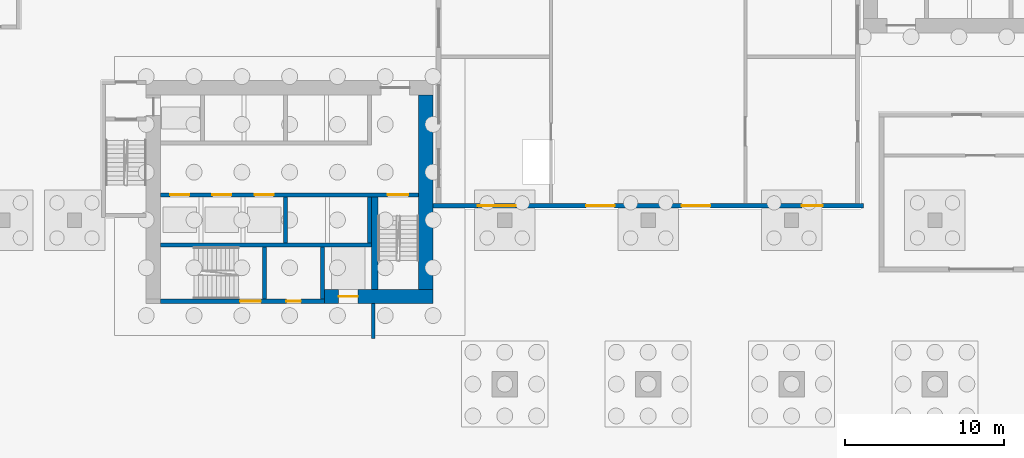
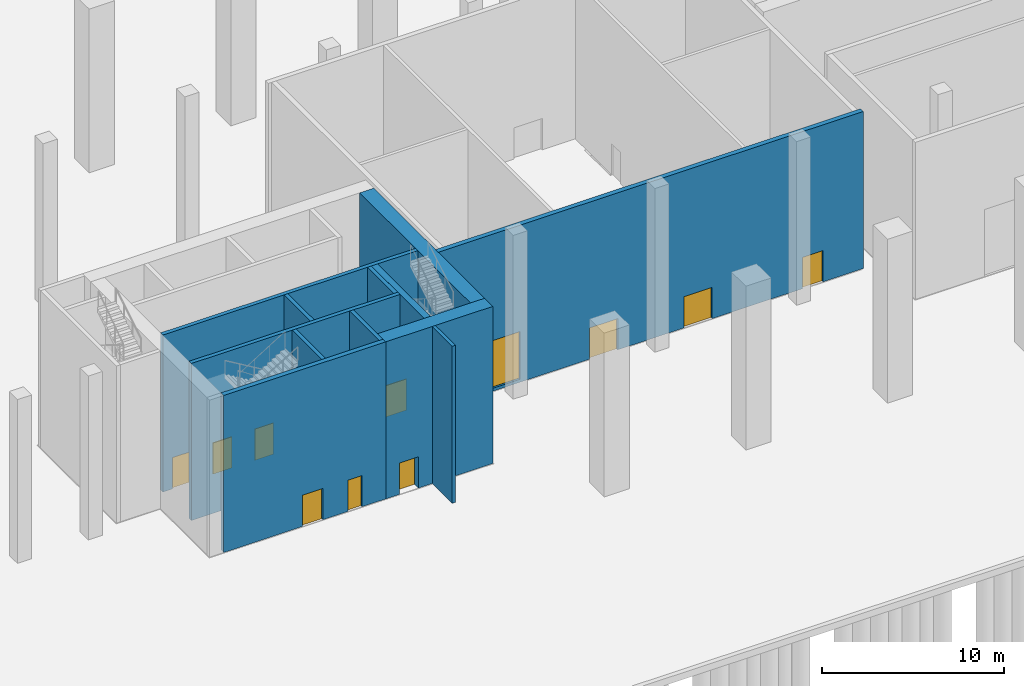
# One storey, part 5 of 26: 12 walls, 10 doors, 1 window, 11 openings.
"""IFC4 building model written with IfcOpenShell, lengths in metres."""

from ifc_helpers import new_model, si_unit, direction, frame, frame_2d, origin, place, context, subcontext, project, spatial, rectangle, extrude, material, layer, layer_set, type_object, element, fill, save


model = new_model("IFC4")

# Units and contexts
model_context = context("Model", 3, precision=1e-05, world=origin(), true_north=direction((0.0, 1.0)))
body_context = subcontext(model_context, "Body", "Model", "MODEL_VIEW")
ifc_project = project(units=[si_unit("LENGTHUNIT", "METRE"), si_unit("AREAUNIT", "SQUARE_METRE"), si_unit("VOLUMEUNIT", "CUBIC_METRE"), si_unit("PLANEANGLEUNIT", "RADIAN"), si_unit("MASSUNIT", "GRAM", prefix="KILO")], contexts=[model_context])

# Site, building, storey
site_placement = place(None, origin())
site = spatial("IfcSite", under=ifc_project, at=site_placement, CompositionType="ELEMENT")
building_placement = place(site_placement, origin())
building = spatial("IfcBuilding", under=site, at=building_placement, Name="Kajstack Hotel Tower", CompositionType="ELEMENT")
storey_placement = place(building_placement, origin())
storey = spatial("IfcBuildingStorey", under=building, at=storey_placement, Name="L00", CompositionType="ELEMENT", Elevation=0.0)

# Wall, opening, door
ifc_material_1 = material(Name="Concrete C60/75", Category="concrete")
ifc_layer_1 = layer(ifc_material_1, 0.89990234375)
ifc_layer_set_1 = layer_set([ifc_layer_1], Name="Core wall 900")
wall_type_1 = type_object("IfcWallType", Name="Core wall 900", PredefinedType="SHEAR", material=ifc_layer_set_1)
wall_1_placement = place(storey_placement, frame((-20.300048828125, -15.050048828125, 0.0), z_axis=(0.0, 0.0, 1.0), x_axis=(1.0, 0.0, 0.0)))
wall_1 = element("IfcWall", 1, at=wall_1_placement, inside=storey, type_object=wall_type_1, Name="Core wall W RS", PredefinedType="SHEAR", context=body_context, shape_type="SweptSolid", body=[
    extrude(rectangle(XDim=6.800048828125, YDim=0.89990234375, at=frame_2d((3.39990234375, 0.0))), origin(), (0.0, 0.0, 1.0), 10.550048828125),
])
opening_1_placement = place(wall_1_placement, frame((0.875, 0.0, 0.0)))
opening_1 = element("IfcOpeningElement", 2, at=opening_1_placement, cuts=wall_1, Name="Opening LD-SV1", PredefinedType="OPENING", context=body_context, shape_type="SweptSolid", body=[
    extrude(rectangle(XDim=1.199951171875, YDim=2.10009765625, at=frame_2d((0.60009765625, 1.050048828125))), frame((0.0, 0.4599609375, 0.0), z_axis=(0.0, -1.0, 0.0), x_axis=(1.0, 0.0, 0.0)), (0.0, 0.0, 1.0), 0.919921875),
])
ifc_material_2 = material(Name="Stainless steel", Category="steel")
door_type_1 = type_object("IfcDoorType", Name="Lift landing door 1200", OperationType="SLIDING_TO_LEFT", PredefinedType="DOOR", material=ifc_material_2)
door_1_placement = place(opening_1_placement, origin())
door_1 = element("IfcDoor", 3, at=door_1_placement, inside=storey, type_object=door_type_1, Name="Landing door SV1", OperationType="SLIDING_TO_LEFT", OverallHeight=2.10009765625, OverallWidth=1.199951171875, PredefinedType="DOOR", context=body_context, shape_type="SweptSolid", body=[
    extrude(rectangle(XDim=1.199951171875, YDim=2.10009765625, at=frame_2d((0.60009765625, 1.050048828125))), frame((0.0, 0.02490234375, 0.0), z_axis=(0.0, -1.0, 0.0), x_axis=(1.0, 0.0, 0.0)), (0.0, 0.0, 1.0), 0.050048828125),
])
fill(opening_1, door_1)

# Wall
wall_2_placement = place(storey_placement, frame((-13.949951171875, -14.60009765625, 0.0), z_axis=(0.0, 0.0, 1.0), x_axis=(0.0, 1.0, 0.0)))
element("IfcWall", 4, at=wall_2_placement, inside=storey, type_object=wall_type_1, Name="Core wall W RE", PredefinedType="SHEAR", context=body_context, shape_type="SweptSolid", body=[
    extrude(rectangle(XDim=12.2001953125, YDim=0.89990234375, at=frame_2d((6.10009765625, 0.0))), origin(), (0.0, 0.0, 1.0), 10.550048828125),
])

# Wall, openings, doors, window
ifc_material_3 = material(Name="Terracotta-faced masonry", Category="masonry")
ifc_layer_2 = layer(ifc_material_3, 0.300048828125)
ifc_layer_set_2 = layer_set([ifc_layer_2], Name="Ground pavilion wall 300")
wall_type_2 = type_object("IfcWallType", Name="Ground pavilion wall 300", PredefinedType="SOLIDWALL", material=ifc_layer_set_2)
wall_3_placement = place(storey_placement, frame((-13.510009765625, -9.35009765625, 0.0), z_axis=(0.0, 0.0, 1.0), x_axis=(1.0, 0.0, 0.0)))
wall_3 = element("IfcWall", 5, at=wall_3_placement, inside=storey, type_object=wall_type_2, Name="External wall APS", PredefinedType="SOLIDWALL", context=body_context, shape_type="SweptSolid", body=[
    extrude(rectangle(XDim=27.02001953125, YDim=0.300048828125, at=frame_2d((13.510009765625, 0.0))), origin(), (0.0, 0.0, 1.0), 10.550048828125),
])
opening_2_placement = place(wall_3_placement, frame((9.610107421875, 0.0, 0.0)))
opening_2 = element("IfcOpeningElement", 6, at=opening_2_placement, cuts=wall_3, Name="Opening 00P04", PredefinedType="OPENING", context=body_context, shape_type="SweptSolid", body=[
    extrude(rectangle(XDim=1.800048828125, YDim=2.10009765625, at=frame_2d((0.89990234375, 1.050048828125))), frame((0.0, 0.159912109375, 0.0), z_axis=(0.0, -1.0, 0.0), x_axis=(1.0, 0.0, 0.0)), (0.0, 0.0, 1.0), 0.320068359375),
])
opening_3_placement = place(wall_3_placement, frame((15.610107421875, 0.0, 0.0)))
opening_3 = element("IfcOpeningElement", 7, at=opening_3_placement, cuts=wall_3, Name="Opening 00P05", PredefinedType="OPENING", context=body_context, shape_type="SweptSolid", body=[
    extrude(rectangle(XDim=1.800048828125, YDim=2.10009765625, at=frame_2d((0.89990234375, 1.050048828125))), frame((0.0, 0.159912109375, 0.0), z_axis=(0.0, -1.0, 0.0), x_axis=(1.0, 0.0, 0.0)), (0.0, 0.0, 1.0), 0.320068359375),
])
opening_4_placement = place(wall_3_placement, frame((23.159912109375, 0.0, 0.0)))
opening_4 = element("IfcOpeningElement", 8, at=opening_4_placement, cuts=wall_3, Name="Opening 00P06", PredefinedType="OPENING", context=body_context, shape_type="SweptSolid", body=[
    extrude(rectangle(XDim=1.300048828125, YDim=2.10009765625, at=frame_2d((0.64990234375, 1.050048828125))), frame((0.0, 0.159912109375, 0.0), z_axis=(0.0, -1.0, 0.0), x_axis=(1.0, 0.0, 0.0)), (0.0, 0.0, 1.0), 0.320068359375),
])
opening_5_placement = place(wall_3_placement, frame((2.81005859375, 0.0, 0.199951171875)))
opening_5 = element("IfcOpeningElement", 9, at=opening_5_placement, cuts=wall_3, Name="Opening W00APW1", PredefinedType="OPENING", context=body_context, shape_type="SweptSolid", body=[
    extrude(rectangle(XDim=2.39990234375, YDim=3.199951171875, at=frame_2d((1.199951171875, 1.60009765625))), frame((0.0, 0.159912109375, 0.0), z_axis=(0.0, -1.0, 0.0), x_axis=(1.0, 0.0, 0.0)), (0.0, 0.0, 1.0), 0.320068359375),
])
ifc_material_4 = material(Name="Glazed timber frame, fire-rated glass", Category="wood")
door_type_2 = type_object("IfcDoorType", Name="Public double door 1800", OperationType="DOUBLE_DOOR_DOUBLE_SWING", PredefinedType="DOOR", material=ifc_material_4)
door_2_placement = place(opening_2_placement, origin())
door_2 = element("IfcDoor", 10, at=door_2_placement, inside=storey, type_object=door_type_2, Name="Door 00P04", OperationType="DOUBLE_DOOR_DOUBLE_SWING", OverallHeight=2.10009765625, OverallWidth=1.800048828125, PredefinedType="DOOR", context=body_context, shape_type="SweptSolid", body=[
    extrude(rectangle(XDim=1.800048828125, YDim=2.10009765625, at=frame_2d((0.89990234375, 1.050048828125))), frame((0.0, 0.02490234375, 0.0), z_axis=(0.0, -1.0, 0.0), x_axis=(1.0, 0.0, 0.0)), (0.0, 0.0, 1.0), 0.050048828125),
])
fill(opening_2, door_2)
door_3_placement = place(opening_3_placement, origin())
door_3 = element("IfcDoor", 11, at=door_3_placement, inside=storey, type_object=door_type_2, Name="Door 00P05", OperationType="DOUBLE_DOOR_DOUBLE_SWING", OverallHeight=2.10009765625, OverallWidth=1.800048828125, PredefinedType="DOOR", context=body_context, shape_type="SweptSolid", body=[
    extrude(rectangle(XDim=1.800048828125, YDim=2.10009765625, at=frame_2d((0.89990234375, 1.050048828125))), frame((0.0, 0.02490234375, 0.0), z_axis=(0.0, -1.0, 0.0), x_axis=(1.0, 0.0, 0.0)), (0.0, 0.0, 1.0), 0.050048828125),
])
fill(opening_3, door_3)
ifc_material_5 = material(Name="Steel leaf, fire-rated", Category="steel")
door_type_3 = type_object("IfcDoorType", Name="Public exit door 1300", OperationType="SINGLE_SWING_LEFT", PredefinedType="DOOR", material=ifc_material_5)
door_4_placement = place(opening_4_placement, origin())
door_4 = element("IfcDoor", 12, at=door_4_placement, inside=storey, type_object=door_type_3, Name="Door 00P06", OperationType="SINGLE_SWING_RIGHT", OverallHeight=2.10009765625, OverallWidth=1.300048828125, PredefinedType="DOOR", context=body_context, shape_type="SweptSolid", body=[
    extrude(rectangle(XDim=1.300048828125, YDim=2.10009765625, at=frame_2d((0.64990234375, 1.050048828125))), frame((0.0, 0.02490234375, 0.0), z_axis=(0.0, -1.0, 0.0), x_axis=(1.0, 0.0, 0.0)), (0.0, 0.0, 1.0), 0.050048828125),
])
fill(opening_4, door_4)
ifc_material_6 = material(Name="Glass, aluminium frame", Category="aluminium")
window_type = type_object("IfcWindowType", Name="Storefront window 2400", PartitioningType="SINGLE_PANEL", PredefinedType="WINDOW", material=ifc_material_6)
window_placement = place(opening_5_placement, origin())
window = element("IfcWindow", 13, at=window_placement, inside=storey, type_object=window_type, Name="Storefront window", OverallHeight=3.199951171875, OverallWidth=2.39990234375, PartitioningType="SINGLE_PANEL", PredefinedType="WINDOW", context=body_context, shape_type="SweptSolid", body=[
    extrude(rectangle(XDim=2.39990234375, YDim=3.199951171875, at=frame_2d((1.199951171875, 1.60009765625))), frame((0.0, 0.030029296875, 0.0), z_axis=(0.0, -1.0, 0.0), x_axis=(1.0, 0.0, 0.0)), (0.0, 0.0, 1.0), 0.06005859375),
])
fill(opening_5, window)

# Walls
ifc_material_7 = material(Name="Concrete C50/60", Category="concrete")
ifc_layer_3 = layer(ifc_material_7, 0.300048828125)
ifc_layer_set_3 = layer_set([ifc_layer_3], Name="Hoistway divider wall 300")
wall_type_3 = type_object("IfcWallType", Name="Hoistway divider wall 300", PredefinedType="SHEAR", material=ifc_layer_set_3)
wall_4_placement = place(storey_placement, frame((-22.77490234375, -11.699951171875, 0.0), z_axis=(0.0, 0.0, 1.0), x_axis=(0.0, 1.0, 0.0)))
element("IfcWall", 14, at=wall_4_placement, inside=storey, type_object=wall_type_3, Name="Core wall W BP2", PredefinedType="SHEAR", context=body_context, shape_type="SweptSolid", body=[
    extrude(rectangle(XDim=2.89990234375, YDim=0.25, at=frame_2d((1.449951171875, 0.0))), origin(), (0.0, 0.0, 1.0), 10.550048828125),
])
ifc_material_8 = material(Name="Gypsum board on steel studs, mineral wool", Category="steel")
ifc_layer_4 = layer(ifc_material_8, 0.199951171875)
ifc_layer_set_4 = layer_set([ifc_layer_4], Name="Service partition 200")
wall_type_4 = type_object("IfcWallType", Name="Service partition 200", PredefinedType="PARTITIONING", material=ifc_layer_set_4)
wall_5_placement = place(storey_placement, frame((-17.25, -17.699951171875, 0.0), z_axis=(0.0, 0.0, 1.0), x_axis=(0.0, 1.0, 0.0)))
element("IfcWall", 15, at=wall_5_placement, inside=storey, type_object=wall_type_4, Name="Partition W SCE", PredefinedType="PARTITIONING", context=body_context, shape_type="SweptSolid", body=[
    extrude(rectangle(XDim=2.199951171875, YDim=0.199951171875, at=frame_2d((1.10009765625, 0.0))), origin(), (0.0, 0.0, 1.0), 10.550048828125),
])

# Wall, openings, doors
ifc_layer_5 = layer(ifc_material_7, 0.25)
ifc_layer_set_5 = layer_set([ifc_layer_5], Name="Shaft wall 250")
wall_type_5 = type_object("IfcWallType", Name="Shaft wall 250", PredefinedType="SHEAR", material=ifc_layer_set_5)
wall_6_placement = place(storey_placement, frame((-30.60009765625, -15.35009765625, 0.0), z_axis=(0.0, 0.0, 1.0), x_axis=(1.0, 0.0, 0.0)))
wall_6 = element("IfcWall", 16, at=wall_6_placement, inside=storey, type_object=wall_type_5, Name="Core wall W RSS", PredefinedType="SHEAR", context=body_context, shape_type="SweptSolid", body=[
    extrude(rectangle(XDim=10.300048828125, YDim=0.300048828125, at=frame_2d((5.14990234375, 0.0))), origin(), (0.0, 0.0, 1.0), 10.550048828125),
])
opening_6_placement = place(wall_6_placement, frame((5.0, 0.0, 0.0)))
opening_6 = element("IfcOpeningElement", 17, at=opening_6_placement, cuts=wall_6, Name="Opening 00W10", PredefinedType="OPENING", context=body_context, shape_type="SweptSolid", body=[
    extrude(rectangle(XDim=1.300048828125, YDim=2.10009765625, at=frame_2d((0.64990234375, 1.050048828125))), frame((0.0, 0.159912109375, 0.0), z_axis=(0.0, -1.0, 0.0), x_axis=(1.0, 0.0, 0.0)), (0.0, 0.0, 1.0), 0.320068359375),
])
opening_7_placement = place(wall_6_placement, frame((7.89990234375, 0.0, 0.0)))
opening_7 = element("IfcOpeningElement", 18, at=opening_7_placement, cuts=wall_6, Name="Opening 00W11", PredefinedType="OPENING", context=body_context, shape_type="SweptSolid", body=[
    extrude(rectangle(XDim=0.89990234375, YDim=2.10009765625, at=frame_2d((0.449951171875, 1.050048828125))), frame((0.0, 0.159912109375, 0.0), z_axis=(0.0, -1.0, 0.0), x_axis=(1.0, 0.0, 0.0)), (0.0, 0.0, 1.0), 0.320068359375),
])
ifc_material_9 = material(Name="Timber leaf, fire-rated", Category="wood")
door_type_4 = type_object("IfcDoorType", Name="Service door 900", OperationType="SINGLE_SWING_LEFT", PredefinedType="DOOR", material=ifc_material_9)
door_5_placement = place(opening_7_placement, origin())
door_5 = element("IfcDoor", 19, at=door_5_placement, inside=storey, type_object=door_type_4, Name="Door 00W11", OperationType="SINGLE_SWING_LEFT", OverallHeight=2.10009765625, OverallWidth=0.89990234375, PredefinedType="DOOR", context=body_context, shape_type="SweptSolid", body=[
    extrude(rectangle(XDim=0.89990234375, YDim=2.10009765625, at=frame_2d((0.449951171875, 1.050048828125))), frame((0.0, 0.02490234375, 0.0), z_axis=(0.0, -1.0, 0.0), x_axis=(1.0, 0.0, 0.0)), (0.0, 0.0, 1.0), 0.050048828125),
])
fill(opening_7, door_5)
door_type_5 = type_object("IfcDoorType", Name="Stair door 1300", OperationType="SINGLE_SWING_LEFT", PredefinedType="DOOR", material=ifc_material_5)
door_6_placement = place(opening_6_placement, frame((1.300048828125, 0.0, 0.0), z_axis=(0.0, 0.0, 1.0), x_axis=(-1.0, 0.0, 0.0)))
door_6 = element("IfcDoor", 20, at=door_6_placement, inside=storey, type_object=door_type_5, Name="Door 00W10", OperationType="SINGLE_SWING_RIGHT", OverallHeight=2.10009765625, OverallWidth=1.300048828125, PredefinedType="DOOR", context=body_context, shape_type="SweptSolid", body=[
    extrude(rectangle(XDim=1.300048828125, YDim=2.10009765625, at=frame_2d((0.64990234375, 1.050048828125))), frame((0.0, 0.02490234375, 0.0), z_axis=(0.0, -1.0, 0.0), x_axis=(1.0, 0.0, 0.0)), (0.0, 0.0, 1.0), 0.050048828125),
])
fill(opening_6, door_6)

wall_7_placement = place(storey_placement, frame((-30.60009765625, -8.675048828125, 0.0), z_axis=(0.0, 0.0, 1.0), x_axis=(1.0, 0.0, 0.0)))
wall_7 = element("IfcWall", 21, at=wall_7_placement, inside=storey, type_object=wall_type_5, Name="Core wall W FB", PredefinedType="SHEAR", context=body_context, shape_type="SweptSolid", body=[
    extrude(rectangle(XDim=16.2001953125, YDim=0.25, at=frame_2d((8.10009765625, 0.0))), origin(), (0.0, 0.0, 1.0), 10.550048828125),
])
opening_8_placement = place(wall_7_placement, frame((0.60009765625, 0.0, 0.0)))
opening_8 = element("IfcOpeningElement", 22, at=opening_8_placement, cuts=wall_7, Name="Opening LD-LR1", PredefinedType="OPENING", context=body_context, shape_type="SweptSolid", body=[
    extrude(rectangle(XDim=1.199951171875, YDim=2.10009765625, at=frame_2d((0.60009765625, 1.050048828125))), frame((0.0, 0.135009765625, 0.0), z_axis=(0.0, -1.0, 0.0), x_axis=(1.0, 0.0, 0.0)), (0.0, 0.0, 1.0), 0.27001953125),
])
opening_9_placement = place(wall_7_placement, frame((3.25, 0.0, 0.0)))
opening_9 = element("IfcOpeningElement", 23, at=opening_9_placement, cuts=wall_7, Name="Opening LD-LR2", PredefinedType="OPENING", context=body_context, shape_type="SweptSolid", body=[
    extrude(rectangle(XDim=1.199951171875, YDim=2.10009765625, at=frame_2d((0.60009765625, 1.050048828125))), frame((0.0, 0.135009765625, 0.0), z_axis=(0.0, -1.0, 0.0), x_axis=(1.0, 0.0, 0.0)), (0.0, 0.0, 1.0), 0.27001953125),
])
opening_10_placement = place(wall_7_placement, frame((5.89990234375, 0.0, 0.0)))
opening_10 = element("IfcOpeningElement", 24, at=opening_10_placement, cuts=wall_7, Name="Opening LD-LR3", PredefinedType="OPENING", context=body_context, shape_type="SweptSolid", body=[
    extrude(rectangle(XDim=1.199951171875, YDim=2.10009765625, at=frame_2d((0.60009765625, 1.050048828125))), frame((0.0, 0.135009765625, 0.0), z_axis=(0.0, -1.0, 0.0), x_axis=(1.0, 0.0, 0.0)), (0.0, 0.0, 1.0), 0.27001953125),
])
opening_11_placement = place(wall_7_placement, frame((14.25, 0.0, 0.0)))
opening_11 = element("IfcOpeningElement", 25, at=opening_11_placement, cuts=wall_7, Name="Opening 00W09", PredefinedType="OPENING", context=body_context, shape_type="SweptSolid", body=[
    extrude(rectangle(XDim=1.300048828125, YDim=2.10009765625, at=frame_2d((0.64990234375, 1.050048828125))), frame((0.0, 0.135009765625, 0.0), z_axis=(0.0, -1.0, 0.0), x_axis=(1.0, 0.0, 0.0)), (0.0, 0.0, 1.0), 0.27001953125),
])
door_7_placement = place(opening_8_placement, origin())
door_7 = element("IfcDoor", 26, at=door_7_placement, inside=storey, type_object=door_type_1, Name="Landing door LR1", OperationType="SLIDING_TO_LEFT", OverallHeight=2.10009765625, OverallWidth=1.199951171875, PredefinedType="DOOR", context=body_context, shape_type="SweptSolid", body=[
    extrude(rectangle(XDim=1.199951171875, YDim=2.10009765625, at=frame_2d((0.60009765625, 1.050048828125))), frame((0.0, 0.02490234375, 0.0), z_axis=(0.0, -1.0, 0.0), x_axis=(1.0, 0.0, 0.0)), (0.0, 0.0, 1.0), 0.050048828125),
])
fill(opening_8, door_7)
door_8_placement = place(opening_9_placement, origin())
door_8 = element("IfcDoor", 27, at=door_8_placement, inside=storey, type_object=door_type_1, Name="Landing door LR2", OperationType="SLIDING_TO_RIGHT", OverallHeight=2.10009765625, OverallWidth=1.199951171875, PredefinedType="DOOR", context=body_context, shape_type="SweptSolid", body=[
    extrude(rectangle(XDim=1.199951171875, YDim=2.10009765625, at=frame_2d((0.60009765625, 1.050048828125))), frame((0.0, 0.02490234375, 0.0), z_axis=(0.0, -1.0, 0.0), x_axis=(1.0, 0.0, 0.0)), (0.0, 0.0, 1.0), 0.050048828125),
])
fill(opening_9, door_8)
door_9_placement = place(opening_10_placement, origin())
door_9 = element("IfcDoor", 28, at=door_9_placement, inside=storey, type_object=door_type_1, Name="Landing door LR3", OperationType="SLIDING_TO_RIGHT", OverallHeight=2.10009765625, OverallWidth=1.199951171875, PredefinedType="DOOR", context=body_context, shape_type="SweptSolid", body=[
    extrude(rectangle(XDim=1.199951171875, YDim=2.10009765625, at=frame_2d((0.60009765625, 1.050048828125))), frame((0.0, 0.02490234375, 0.0), z_axis=(0.0, -1.0, 0.0), x_axis=(1.0, 0.0, 0.0)), (0.0, 0.0, 1.0), 0.050048828125),
])
fill(opening_10, door_9)
door_10_placement = place(opening_11_placement, origin())
door_10 = element("IfcDoor", 29, at=door_10_placement, inside=storey, type_object=door_type_5, Name="Door 00W09", OperationType="SINGLE_SWING_RIGHT", OverallHeight=2.10009765625, OverallWidth=1.300048828125, PredefinedType="DOOR", context=body_context, shape_type="SweptSolid", body=[
    extrude(rectangle(XDim=1.300048828125, YDim=2.10009765625, at=frame_2d((0.64990234375, 1.050048828125))), frame((0.0, 0.02490234375, 0.0), z_axis=(0.0, -1.0, 0.0), x_axis=(1.0, 0.0, 0.0)), (0.0, 0.0, 1.0), 0.050048828125),
])
fill(opening_11, door_10)

# Walls
wall_8_placement = place(storey_placement, frame((-30.60009765625, -11.824951171875, 0.0), z_axis=(0.0, 0.0, 1.0), x_axis=(1.0, 0.0, 0.0)))
element("IfcWall", 30, at=wall_8_placement, inside=storey, type_object=wall_type_5, Name="Core wall W RB", PredefinedType="SHEAR", context=body_context, shape_type="SweptSolid", body=[
    extrude(rectangle(XDim=13.25, YDim=0.25, at=frame_2d((6.625, 0.0))), origin(), (0.0, 0.0, 1.0), 10.550048828125),
])
wall_9_placement = place(storey_placement, frame((-17.47509765625, -11.699951171875, 0.0), z_axis=(0.0, 0.0, 1.0), x_axis=(0.0, 1.0, 0.0)))
element("IfcWall", 31, at=wall_9_placement, inside=storey, type_object=wall_type_5, Name="Core wall W BE", PredefinedType="SHEAR", context=body_context, shape_type="SweptSolid", body=[
    extrude(rectangle(XDim=2.89990234375, YDim=0.25, at=frame_2d((1.449951171875, 0.0))), origin(), (0.0, 0.0, 1.0), 10.550048828125),
])
wall_10_placement = place(storey_placement, frame((-20.425048828125, -15.199951171875, 0.0), z_axis=(0.0, 0.0, 1.0), x_axis=(0.0, 1.0, 0.0)))
element("IfcWall", 32, at=wall_10_placement, inside=storey, type_object=wall_type_5, Name="Core wall W SVW", PredefinedType="SHEAR", context=body_context, shape_type="SweptSolid", body=[
    extrude(rectangle(XDim=3.25, YDim=0.25, at=frame_2d((1.625, 0.0))), origin(), (0.0, 0.0, 1.0), 10.550048828125),
])
ifc_layer_6 = layer(ifc_material_7, 0.35009765625)
ifc_layer_set_6 = layer_set([ifc_layer_6], Name="Stair enclosure wall 350")
wall_type_6 = type_object("IfcWallType", Name="Stair enclosure wall 350", PredefinedType="SHEAR", material=ifc_layer_set_6)
wall_11_placement = place(storey_placement, frame((-24.074951171875, -15.199951171875, 0.0), z_axis=(0.0, 0.0, 1.0), x_axis=(0.0, 1.0, 0.0)))
element("IfcWall", 33, at=wall_11_placement, inside=storey, type_object=wall_type_6, Name="Core wall W W3E", PredefinedType="SHEAR", context=body_context, shape_type="SweptSolid", body=[
    extrude(rectangle(XDim=3.25, YDim=0.25, at=frame_2d((1.625, 0.0))), origin(), (0.0, 0.0, 1.0), 10.550048828125),
])
ifc_layer_7 = layer(ifc_material_7, 0.39990234375)
ifc_layer_set_7 = layer_set([ifc_layer_7], Name="Stair wall 400")
wall_type_7 = type_object("IfcWallType", Name="Stair wall 400", PredefinedType="SHEAR", material=ifc_layer_set_7)
wall_12_placement = place(storey_placement, frame((-17.14990234375, -14.60009765625, 0.0), z_axis=(0.0, 0.0, 1.0), x_axis=(0.0, 1.0, 0.0)))
element("IfcWall", 34, at=wall_12_placement, inside=storey, type_object=wall_type_7, Name="Core wall W WW2", PredefinedType="SHEAR", context=body_context, shape_type="SweptSolid", body=[
    extrude(rectangle(XDim=5.800048828125, YDim=0.39990234375, at=frame_2d((2.89990234375, 0.0))), origin(), (0.0, 0.0, 1.0), 10.550048828125),
])

save(model, "model.ifc")
